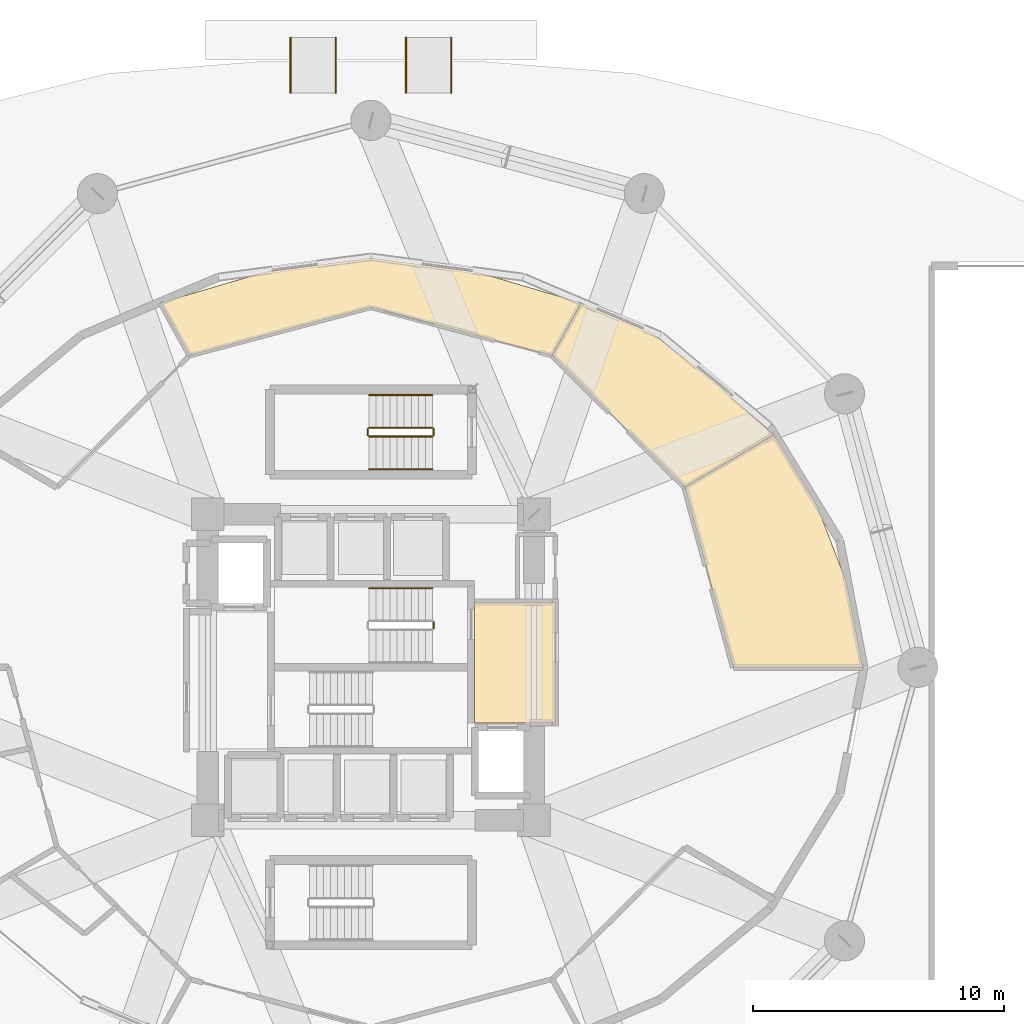
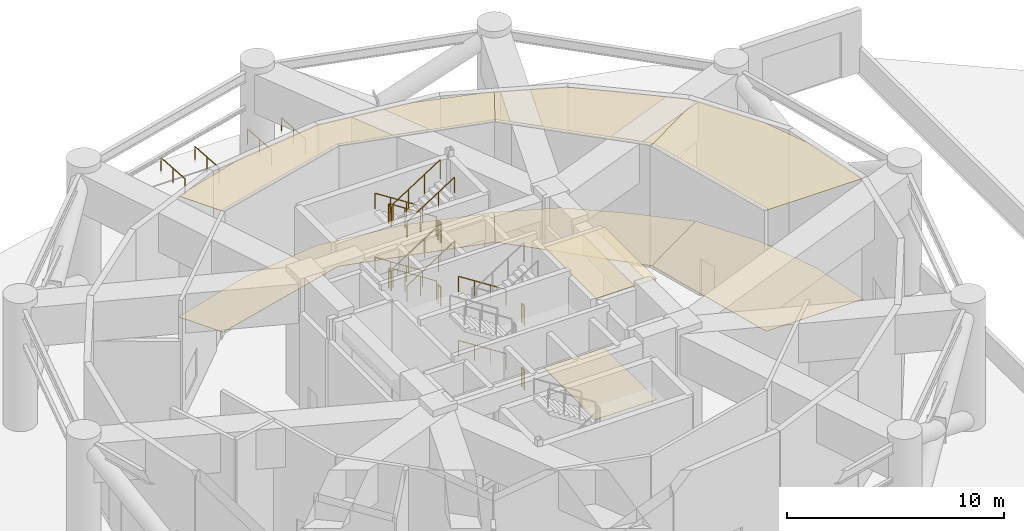
# One storey, part 15 of 16: 20 railings, 8 coverings.
"""IFC4 building model written with IfcOpenShell, lengths in metres."""

from ifc_helpers import new_model, si_unit, direction, frame, origin, origin_2d, place, context, subcontext, project, spatial, polyline, circle, outline, extrude, material, layer, layer_set, type_object, element, save


model = new_model("IFC4")

# Units and contexts
model_context = context("Model", 3, precision=1e-05, world=origin(), true_north=direction((0.0, 1.0)))
body_context = subcontext(model_context, "Body", "Model", "MODEL_VIEW")
ifc_project = project(units=[si_unit("LENGTHUNIT", "METRE"), si_unit("AREAUNIT", "SQUARE_METRE"), si_unit("VOLUMEUNIT", "CUBIC_METRE"), si_unit("PLANEANGLEUNIT", "RADIAN"), si_unit("MASSUNIT", "GRAM", prefix="KILO")], contexts=[model_context])

# Site, building, storey
site_placement = place(None, origin())
site = spatial("IfcSite", under=ifc_project, at=site_placement, CompositionType="ELEMENT")
building_placement = place(site_placement, origin())
building = spatial("IfcBuilding", under=site, at=building_placement, Name="Solvirekh Grand Hotel", CompositionType="ELEMENT")
storey_placement = place(building_placement, origin())
storey = spatial("IfcBuildingStorey", under=building, at=storey_placement, Name="L00", CompositionType="ELEMENT", Elevation=0.0)

# Coverings
ifc_material_1 = material(Name="Acoustic Mineral Ceiling Tile")
ifc_layer_1 = layer(ifc_material_1, 0.02490234375)
ifc_layer_set_1 = layer_set([ifc_layer_1], Name="Acoustic Mineral Ceiling Tile")
covering_type_1 = type_object("IfcCoveringType", Name="Cov_Ceiling_Acoustic", PredefinedType="CEILING", material=ifc_layer_set_1)
covering_1_placement = place(storey_placement, frame((0.0, 0.0, 6.7900390625)))
element("IfcCovering", 1, at=covering_1_placement, inside=storey, type_object=covering_type_1, Name="L00 Firefighting Lobby East acoustic ceiling", PredefinedType="CEILING", context=body_context, shape_type="SweptSolid", body=[
    extrude(outline(polyline([(4.1298828125, -2.2099609375), (7.35009765625, -2.2099609375), (7.35009765625, 2.60009765625), (4.1298828125, 2.60009765625), (4.1298828125, -2.2099609375)])), origin(), (0.0, 0.0, 1.0), 0.01806640625),
])
covering_2_placement = place(storey_placement, frame((0.0, 0.0, 6.7900390625)))
element("IfcCovering", 2, at=covering_2_placement, inside=storey, type_object=covering_type_1, Name="L00 Hotel Security & Dispatch Office acoustic ceiling", PredefinedType="CEILING", context=body_context, shape_type="SweptSolid", body=[
    extrude(outline(polyline([(19.610107421875, 0.0), (18.971923828125, 3.344970703125), (17.77392578125, 6.468994140625), (16.05810546875, 9.27099609375), (12.513916015625, 7.175048828125), (14.449951171875, 0.0), (19.610107421875, 0.0)])), origin(), (0.0, 0.0, 1.0), 0.01806640625),
])
covering_3_placement = place(storey_placement, frame((0.0, 0.0, 6.7900390625)))
element("IfcCovering", 3, at=covering_3_placement, inside=storey, type_object=covering_type_1, Name="L00 Fire Command Room acoustic ceiling", PredefinedType="CEILING", context=body_context, shape_type="SweptSolid", body=[
    extrude(outline(polyline([(16.05810546875, 9.27099609375), (13.635009765625, 11.44091796875), (11.19091796875, 13.3369140625), (8.385986328125, 14.52490234375), (7.22509765625, 12.427001953125), (12.513916015625, 7.175048828125), (16.05810546875, 9.27099609375)])), origin(), (0.0, 0.0, 1.0), 0.01806640625),
])
covering_4_placement = place(storey_placement, frame((0.0, 0.0, 6.7900390625)))
element("IfcCovering", 4, at=covering_4_placement, inside=storey, type_object=covering_type_1, Name="L00 North Porte-Cochere Arrival Hall acoustic ceiling", PredefinedType="CEILING", context=body_context, shape_type="SweptSolid", body=[
    extrude(outline(polyline([(8.385986328125, 14.52490234375), (4.220947265625, 15.75390625), (0.0, 16.31005859375), (-4.220947265625, 15.75390625), (-8.385986328125, 14.52490234375), (-7.22509765625, 12.427001953125), (0.0, 14.35009765625), (7.22509765625, 12.427001953125), (8.385986328125, 14.52490234375)])), origin(), (0.0, 0.0, 1.0), 0.01806640625),
])
ifc_material_2 = material(Name="Porcelain Stoneware Flooring", Category="masonry")
ifc_layer_2 = layer(ifc_material_2, 0.030029296875)
ifc_layer_set_2 = layer_set([ifc_layer_2], Name="Porcelain Stoneware Flooring")
covering_type_2 = type_object("IfcCoveringType", Name="Cov_Floor_Stone", PredefinedType="FLOORING", material=ifc_layer_set_2)
covering_5_placement = place(storey_placement, origin())
element("IfcCovering", 5, at=covering_5_placement, inside=storey, type_object=covering_type_2, Name="L00 Firefighting Lobby East polished granite flooring", PredefinedType="FLOORING", context=body_context, shape_type="SweptSolid", body=[
    extrude(outline(polyline([(4.1298828125, -2.2099609375), (7.35009765625, -2.2099609375), (7.35009765625, 2.60009765625), (4.1298828125, 2.60009765625), (4.1298828125, -2.2099609375)])), origin(), (0.0, 0.0, 1.0), 0.02001953125),
])
covering_6_placement = place(storey_placement, origin())
element("IfcCovering", 6, at=covering_6_placement, inside=storey, type_object=covering_type_2, Name="L00 Hotel Security & Dispatch Office polished granite flooring", PredefinedType="FLOORING", context=body_context, shape_type="SweptSolid", body=[
    extrude(outline(polyline([(19.610107421875, 0.0), (18.971923828125, 3.344970703125), (17.77392578125, 6.468994140625), (16.05810546875, 9.27099609375), (12.513916015625, 7.175048828125), (14.449951171875, 0.0), (19.610107421875, 0.0)])), origin(), (0.0, 0.0, 1.0), 0.02001953125),
])
covering_7_placement = place(storey_placement, origin())
element("IfcCovering", 7, at=covering_7_placement, inside=storey, type_object=covering_type_2, Name="L00 Fire Command Room polished granite flooring", PredefinedType="FLOORING", context=body_context, shape_type="SweptSolid", body=[
    extrude(outline(polyline([(16.05810546875, 9.27099609375), (13.635009765625, 11.44091796875), (11.19091796875, 13.3369140625), (8.385986328125, 14.52490234375), (7.22509765625, 12.427001953125), (12.513916015625, 7.175048828125), (16.05810546875, 9.27099609375)])), origin(), (0.0, 0.0, 1.0), 0.02001953125),
])
covering_8_placement = place(storey_placement, origin())
element("IfcCovering", 8, at=covering_8_placement, inside=storey, type_object=covering_type_2, Name="L00 North Porte-Cochere Arrival Hall polished granite flooring", PredefinedType="FLOORING", context=body_context, shape_type="SweptSolid", body=[
    extrude(outline(polyline([(8.385986328125, 14.52490234375), (4.220947265625, 15.75390625), (0.0, 16.31005859375), (-4.220947265625, 15.75390625), (-8.385986328125, 14.52490234375), (-7.22509765625, 12.427001953125), (0.0, 14.35009765625), (7.22509765625, 12.427001953125), (8.385986328125, 14.52490234375)])), origin(), (0.0, 0.0, 1.0), 0.02001953125),
])

# Railings
ifc_material_3 = material(Name="Steel S355", Category="steel")
railing_type_1 = type_object("IfcRailingType", Name="Guard_Stair_1100", PredefinedType="GUARDRAIL", material=ifc_material_3)
for number, where, name in (
    (9, (2.5, 1.800048828125, 3.60009765625), "L00 ST-2 stair guard 4"),
    (10, (2.5, 1.800048828125, 0.0), "L00 ST-2 stair guard 8"),
):
    element("IfcRailing", number, at=place(storey_placement, frame(where)), inside=storey, type_object=railing_type_1, Name=name, PredefinedType="GUARDRAIL", context=body_context, shape_type="SweptSolid", body=[
        extrude(circle(Radius=0.02392578125, at=origin_2d()), frame((0.0, 0.0, 1.076171875), z_axis=(0.0, -1.0, 0.0), x_axis=(1.0, 0.0, 0.0)), (0.0, 0.0, 1.0), 0.25),
        extrude(circle(Radius=0.02099609375, at=origin_2d()), origin(), (0.0, 0.0, 1.0), 1.052001953125),
        extrude(circle(Radius=0.02099609375, at=origin_2d()), frame((0.0, -0.25, 0.0)), (0.0, 0.0, 1.0), 1.052001953125),
    ])
railing_1_placement = place(storey_placement, frame((2.449951171875, 9.550048828125, 0.179931640625)))
element("IfcRailing", 11, at=railing_1_placement, inside=storey, type_object=railing_type_1, Name="L00 ST-4 stair guard 1", PredefinedType="GUARDRAIL", context=body_context, shape_type="SweptSolid", body=[
    extrude(circle(Radius=0.02392578125, at=origin_2d()), frame((0.0, 0.0, 1.076171875), z_axis=(-0.841162588446, 0.0, 0.540782303519), x_axis=(0.0, -1.0, 0.0)), (0.0, 0.0, 1.0), 2.995849609375),
    extrude(circle(Radius=0.02099609375, at=origin_2d()), origin(), (0.0, 0.0, 1.0), 1.052001953125),
    extrude(circle(Radius=0.02099609375, at=origin_2d()), frame((-0.840087890625, 0.0, 0.5400390625)), (0.0, 0.0, 1.0), 1.052001953125),
    extrude(circle(Radius=0.02099609375, at=origin_2d()), frame((-1.679931640625, 0.0, 1.080078125)), (0.0, 0.0, 1.0), 1.052001953125),
    extrude(circle(Radius=0.02099609375, at=origin_2d()), frame((-2.52001953125, 0.0, 1.6201171875)), (0.0, 0.0, 1.0), 1.052001953125),
])
railing_2_placement = place(storey_placement, frame((-0.1201171875, 9.5, 1.800048828125)))
element("IfcRailing", 12, at=railing_2_placement, inside=storey, type_object=railing_type_1, Name="L00 ST-4 stair guard 2", PredefinedType="GUARDRAIL", context=body_context, shape_type="SweptSolid", body=[
    extrude(circle(Radius=0.02392578125, at=origin_2d()), frame((0.0, 0.0, 1.076171875), z_axis=(0.0, -1.0, 0.0), x_axis=(1.0, 0.0, 0.0)), (0.0, 0.0, 1.0), 0.25),
    extrude(circle(Radius=0.02099609375, at=origin_2d()), origin(), (0.0, 0.0, 1.0), 1.052001953125),
    extrude(circle(Radius=0.02099609375, at=origin_2d()), frame((0.0, -0.25, 0.0)), (0.0, 0.0, 1.0), 1.052001953125),
])
railing_3_placement = place(storey_placement, frame((-0.070068359375, 9.199951171875, 1.97998046875)))
element("IfcRailing", 13, at=railing_3_placement, inside=storey, type_object=railing_type_1, Name="L00 ST-4 stair guard 3", PredefinedType="GUARDRAIL", context=body_context, shape_type="SweptSolid", body=[
    extrude(circle(Radius=0.02392578125, at=origin_2d()), frame((0.0, 0.0, 1.076171875), z_axis=(0.841162588446, 0.0, 0.540782303519), x_axis=(0.0, 1.0, 0.0)), (0.0, 0.0, 1.0), 2.995849609375),
    extrude(circle(Radius=0.02099609375, at=origin_2d()), origin(), (0.0, 0.0, 1.0), 1.052001953125),
    extrude(circle(Radius=0.02099609375, at=origin_2d()), frame((0.840087890625, 0.0, 0.5400390625)), (0.0, 0.0, 1.0), 1.052001953125),
    extrude(circle(Radius=0.02099609375, at=origin_2d()), frame((1.679931640625, 0.0, 1.080078125)), (0.0, 0.0, 1.0), 1.052001953125),
    extrude(circle(Radius=0.02099609375, at=origin_2d()), frame((2.52001953125, 0.0, 1.6201171875)), (0.0, 0.0, 1.0), 1.052001953125),
])
railing_4_placement = place(storey_placement, frame((2.5, 9.5, 3.60009765625)))
element("IfcRailing", 14, at=railing_4_placement, inside=storey, type_object=railing_type_1, Name="L00 ST-4 stair guard 4", PredefinedType="GUARDRAIL", context=body_context, shape_type="SweptSolid", body=[
    extrude(circle(Radius=0.02392578125, at=origin_2d()), frame((0.0, 0.0, 1.076171875), z_axis=(0.0, -1.0, 0.0), x_axis=(1.0, 0.0, 0.0)), (0.0, 0.0, 1.0), 0.25),
    extrude(circle(Radius=0.02099609375, at=origin_2d()), origin(), (0.0, 0.0, 1.0), 1.052001953125),
    extrude(circle(Radius=0.02099609375, at=origin_2d()), frame((0.0, -0.25, 0.0)), (0.0, 0.0, 1.0), 1.052001953125),
])
railing_5_placement = place(storey_placement, frame((2.449951171875, 9.550048828125, 3.780029296875)))
element("IfcRailing", 15, at=railing_5_placement, inside=storey, type_object=railing_type_1, Name="L00 ST-4 stair guard 5", PredefinedType="GUARDRAIL", context=body_context, shape_type="SweptSolid", body=[
    extrude(circle(Radius=0.02392578125, at=origin_2d()), frame((0.0, 0.0, 1.076171875), z_axis=(-0.841199657755, 0.0, 0.540724639528), x_axis=(0.0, -1.0, 0.0)), (0.0, 0.0, 1.0), 2.995849609375),
    extrude(circle(Radius=0.02099609375, at=origin_2d()), origin(), (0.0, 0.0, 1.0), 1.052001953125),
    extrude(circle(Radius=0.02099609375, at=origin_2d()), frame((-0.840087890625, 0.0, 0.5400390625)), (0.0, 0.0, 1.0), 1.052001953125),
    extrude(circle(Radius=0.02099609375, at=origin_2d()), frame((-1.679931640625, 0.0, 1.079833984375)), (0.0, 0.0, 1.0), 1.052001953125),
    extrude(circle(Radius=0.02099609375, at=origin_2d()), frame((-2.52001953125, 0.0, 1.619873046875)), (0.0, 0.0, 1.0), 1.052001953125),
])
railing_6_placement = place(storey_placement, frame((-0.1201171875, 9.5, 5.39990234375)))
element("IfcRailing", 16, at=railing_6_placement, inside=storey, type_object=railing_type_1, Name="L00 ST-4 stair guard 6", PredefinedType="GUARDRAIL", context=body_context, shape_type="SweptSolid", body=[
    extrude(circle(Radius=0.02392578125, at=origin_2d()), frame((0.0, 0.0, 1.076171875), z_axis=(0.0, -1.0, 0.0), x_axis=(1.0, 0.0, 0.0)), (0.0, 0.0, 1.0), 0.25),
    extrude(circle(Radius=0.02099609375, at=origin_2d()), origin(), (0.0, 0.0, 1.0), 1.052001953125),
    extrude(circle(Radius=0.02099609375, at=origin_2d()), frame((0.0, -0.25, 0.0)), (0.0, 0.0, 1.0), 1.052001953125),
])
railing_7_placement = place(storey_placement, frame((-0.070068359375, 9.199951171875, 5.580078125)))
element("IfcRailing", 17, at=railing_7_placement, inside=storey, type_object=railing_type_1, Name="L00 ST-4 stair guard 7", PredefinedType="GUARDRAIL", context=body_context, shape_type="SweptSolid", body=[
    extrude(circle(Radius=0.02392578125, at=origin_2d()), frame((0.0, 0.0, 1.076171875), z_axis=(0.841199657755, 0.0, 0.540724639528), x_axis=(0.0, 1.0, 0.0)), (0.0, 0.0, 1.0), 2.995849609375),
    extrude(circle(Radius=0.02099609375, at=origin_2d()), origin(), (0.0, 0.0, 1.0), 1.052001953125),
    extrude(circle(Radius=0.02099609375, at=origin_2d()), frame((0.840087890625, 0.0, 0.5400390625)), (0.0, 0.0, 1.0), 1.052001953125),
    extrude(circle(Radius=0.02099609375, at=origin_2d()), frame((1.679931640625, 0.0, 1.079833984375)), (0.0, 0.0, 1.0), 1.052001953125),
    extrude(circle(Radius=0.02099609375, at=origin_2d()), frame((2.52001953125, 0.0, 1.619873046875)), (0.0, 0.0, 1.0), 1.052001953125),
])
railing_8_placement = place(storey_placement, frame((2.5, 9.5, 0.0)))
element("IfcRailing", 18, at=railing_8_placement, inside=storey, type_object=railing_type_1, Name="L00 ST-4 stair guard 8", PredefinedType="GUARDRAIL", context=body_context, shape_type="SweptSolid", body=[
    extrude(circle(Radius=0.02392578125, at=origin_2d()), frame((0.0, 0.0, 1.076171875), z_axis=(0.0, -1.0, 0.0), x_axis=(1.0, 0.0, 0.0)), (0.0, 0.0, 1.0), 0.25),
    extrude(circle(Radius=0.02099609375, at=origin_2d()), origin(), (0.0, 0.0, 1.0), 1.052001953125),
    extrude(circle(Radius=0.02099609375, at=origin_2d()), frame((0.0, -0.25, 0.0)), (0.0, 0.0, 1.0), 1.052001953125),
])
ifc_material_4 = material(Name="Anodized Bronze Aluminium 6063-T6", Category="aluminium")
railing_type_2 = type_object("IfcRailingType", Name="Handrail_Wall_900", PredefinedType="HANDRAIL", material=ifc_material_4)
for number, where, name in (
    (19, (-3.199951171875, 22.89990234375, 0.0), "Accessible ramp AR-5 west handrail"),
    (20, (-1.39990234375, 22.89990234375, 0.0), "Accessible ramp AR-5 east handrail"),
    (21, (1.39990234375, 22.89990234375, 0.0), "Accessible ramp AR-6 west handrail"),
    (22, (3.199951171875, 22.89990234375, 0.0), "Accessible ramp AR-6 east handrail"),
):
    element("IfcRailing", number, at=place(storey_placement, frame(where)), inside=storey, type_object=railing_type_2, Name=name, PredefinedType="HANDRAIL", context=body_context, shape_type="SweptSolid", body=[
        extrude(circle(Radius=0.02392578125, at=origin_2d()), frame((0.0, 0.0, 0.8759765625), z_axis=(0.0, 0.997687106535, -0.067973799757), x_axis=(-1.0, 0.0, 0.0)), (0.0, 0.0, 1.0), 2.205322265625),
        extrude(circle(Radius=0.02099609375, at=origin_2d()), origin(), (0.0, 0.0, 1.0), 0.851806640625),
        extrude(circle(Radius=0.02099609375, at=origin_2d()), frame((0.0, 1.10009765625, -0.074951171875)), (0.0, 0.0, 1.0), 0.851806640625),
        extrude(circle(Radius=0.02099609375, at=origin_2d()), frame((0.0, 2.2001953125, -0.14990234375)), (0.0, 0.0, 1.0), 0.851806640625),
    ])
railing_9_placement = place(storey_placement, frame((2.449951171875, 3.14990234375, 0.179931640625)))
element("IfcRailing", 23, at=railing_9_placement, inside=storey, type_object=railing_type_2, Name="L00 ST-2 stair handrail 1", PredefinedType="HANDRAIL", context=body_context, shape_type="SweptSolid", body=[
    extrude(circle(Radius=0.02392578125, at=origin_2d()), frame((0.0, 0.0, 0.8759765625), z_axis=(-0.841162588446, 0.0, 0.540782303519), x_axis=(0.0, -1.0, 0.0)), (0.0, 0.0, 1.0), 2.995849609375),
    extrude(circle(Radius=0.02099609375, at=origin_2d()), origin(), (0.0, 0.0, 1.0), 0.851806640625),
    extrude(circle(Radius=0.02099609375, at=origin_2d()), frame((-0.840087890625, 0.0, 0.5400390625)), (0.0, 0.0, 1.0), 0.851806640625),
    extrude(circle(Radius=0.02099609375, at=origin_2d()), frame((-1.679931640625, 0.0, 1.080078125)), (0.0, 0.0, 1.0), 0.851806640625),
    extrude(circle(Radius=0.02099609375, at=origin_2d()), frame((-2.52001953125, 0.0, 1.6201171875)), (0.0, 0.0, 1.0), 0.851806640625),
])
railing_10_placement = place(storey_placement, frame((2.449951171875, 3.14990234375, 3.780029296875)))
element("IfcRailing", 24, at=railing_10_placement, inside=storey, type_object=railing_type_2, Name="L00 ST-2 stair handrail 3", PredefinedType="HANDRAIL", context=body_context, shape_type="SweptSolid", body=[
    extrude(circle(Radius=0.02392578125, at=origin_2d()), frame((0.0, 0.0, 0.8759765625), z_axis=(-0.841199657755, 0.0, 0.540724639528), x_axis=(0.0, -1.0, 0.0)), (0.0, 0.0, 1.0), 2.995849609375),
    extrude(circle(Radius=0.02099609375, at=origin_2d()), origin(), (0.0, 0.0, 1.0), 0.851806640625),
    extrude(circle(Radius=0.02099609375, at=origin_2d()), frame((-0.840087890625, 0.0, 0.5400390625)), (0.0, 0.0, 1.0), 0.851806640625),
    extrude(circle(Radius=0.02099609375, at=origin_2d()), frame((-1.679931640625, 0.0, 1.079833984375)), (0.0, 0.0, 1.0), 0.851806640625),
    extrude(circle(Radius=0.02099609375, at=origin_2d()), frame((-2.52001953125, 0.0, 1.619873046875)), (0.0, 0.0, 1.0), 0.851806640625),
])
railing_11_placement = place(storey_placement, frame((2.449951171875, 10.85009765625, 0.179931640625)))
element("IfcRailing", 25, at=railing_11_placement, inside=storey, type_object=railing_type_2, Name="L00 ST-4 stair handrail 1", PredefinedType="HANDRAIL", context=body_context, shape_type="SweptSolid", body=[
    extrude(circle(Radius=0.02392578125, at=origin_2d()), frame((0.0, 0.0, 0.8759765625), z_axis=(-0.841162588446, 0.0, 0.540782303519), x_axis=(0.0, -1.0, 0.0)), (0.0, 0.0, 1.0), 2.995849609375),
    extrude(circle(Radius=0.02099609375, at=origin_2d()), origin(), (0.0, 0.0, 1.0), 0.851806640625),
    extrude(circle(Radius=0.02099609375, at=origin_2d()), frame((-0.840087890625, 0.0, 0.5400390625)), (0.0, 0.0, 1.0), 0.851806640625),
    extrude(circle(Radius=0.02099609375, at=origin_2d()), frame((-1.679931640625, 0.0, 1.080078125)), (0.0, 0.0, 1.0), 0.851806640625),
    extrude(circle(Radius=0.02099609375, at=origin_2d()), frame((-2.52001953125, 0.0, 1.6201171875)), (0.0, 0.0, 1.0), 0.851806640625),
])
railing_12_placement = place(storey_placement, frame((-0.070068359375, 7.89990234375, 1.97998046875)))
element("IfcRailing", 26, at=railing_12_placement, inside=storey, type_object=railing_type_2, Name="L00 ST-4 stair handrail 2", PredefinedType="HANDRAIL", context=body_context, shape_type="SweptSolid", body=[
    extrude(circle(Radius=0.02392578125, at=origin_2d()), frame((0.0, 0.0, 0.8759765625), z_axis=(0.841162588446, 0.0, 0.540782303519), x_axis=(0.0, 1.0, 0.0)), (0.0, 0.0, 1.0), 2.995849609375),
    extrude(circle(Radius=0.02099609375, at=origin_2d()), origin(), (0.0, 0.0, 1.0), 0.851806640625),
    extrude(circle(Radius=0.02099609375, at=origin_2d()), frame((0.840087890625, 0.0, 0.5400390625)), (0.0, 0.0, 1.0), 0.851806640625),
    extrude(circle(Radius=0.02099609375, at=origin_2d()), frame((1.679931640625, 0.0, 1.080078125)), (0.0, 0.0, 1.0), 0.851806640625),
    extrude(circle(Radius=0.02099609375, at=origin_2d()), frame((2.52001953125, 0.0, 1.6201171875)), (0.0, 0.0, 1.0), 0.851806640625),
])
railing_13_placement = place(storey_placement, frame((2.449951171875, 10.85009765625, 3.780029296875)))
element("IfcRailing", 27, at=railing_13_placement, inside=storey, type_object=railing_type_2, Name="L00 ST-4 stair handrail 3", PredefinedType="HANDRAIL", context=body_context, shape_type="SweptSolid", body=[
    extrude(circle(Radius=0.02392578125, at=origin_2d()), frame((0.0, 0.0, 0.8759765625), z_axis=(-0.841199657755, 0.0, 0.540724639528), x_axis=(0.0, -1.0, 0.0)), (0.0, 0.0, 1.0), 2.995849609375),
    extrude(circle(Radius=0.02099609375, at=origin_2d()), origin(), (0.0, 0.0, 1.0), 0.851806640625),
    extrude(circle(Radius=0.02099609375, at=origin_2d()), frame((-0.840087890625, 0.0, 0.5400390625)), (0.0, 0.0, 1.0), 0.851806640625),
    extrude(circle(Radius=0.02099609375, at=origin_2d()), frame((-1.679931640625, 0.0, 1.079833984375)), (0.0, 0.0, 1.0), 0.851806640625),
    extrude(circle(Radius=0.02099609375, at=origin_2d()), frame((-2.52001953125, 0.0, 1.619873046875)), (0.0, 0.0, 1.0), 0.851806640625),
])
railing_14_placement = place(storey_placement, frame((-0.070068359375, 7.89990234375, 5.580078125)))
element("IfcRailing", 28, at=railing_14_placement, inside=storey, type_object=railing_type_2, Name="L00 ST-4 stair handrail 4", PredefinedType="HANDRAIL", context=body_context, shape_type="SweptSolid", body=[
    extrude(circle(Radius=0.02392578125, at=origin_2d()), frame((0.0, 0.0, 0.8759765625), z_axis=(0.841199657755, 0.0, 0.540724639528), x_axis=(0.0, 1.0, 0.0)), (0.0, 0.0, 1.0), 2.995849609375),
    extrude(circle(Radius=0.02099609375, at=origin_2d()), origin(), (0.0, 0.0, 1.0), 0.851806640625),
    extrude(circle(Radius=0.02099609375, at=origin_2d()), frame((0.840087890625, 0.0, 0.5400390625)), (0.0, 0.0, 1.0), 0.851806640625),
    extrude(circle(Radius=0.02099609375, at=origin_2d()), frame((1.679931640625, 0.0, 1.079833984375)), (0.0, 0.0, 1.0), 0.851806640625),
    extrude(circle(Radius=0.02099609375, at=origin_2d()), frame((2.52001953125, 0.0, 1.619873046875)), (0.0, 0.0, 1.0), 0.851806640625),
])

save(model, "model.ifc")
